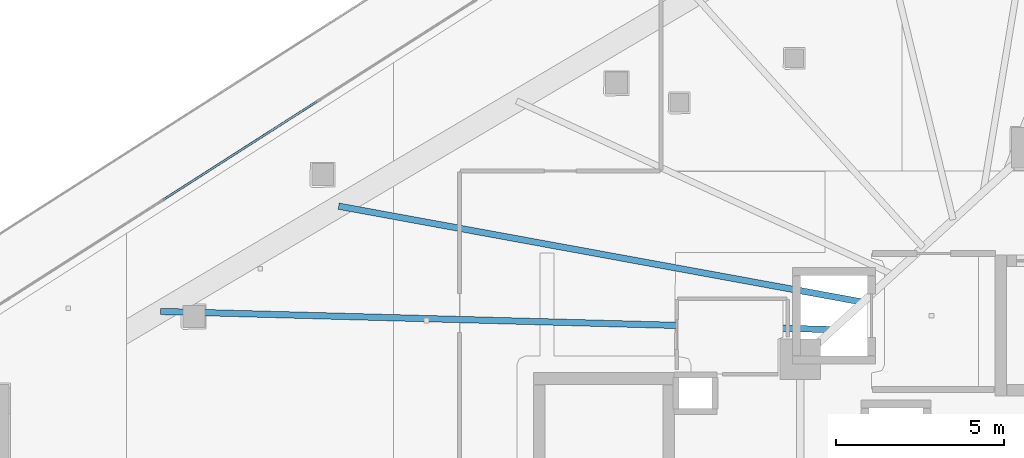
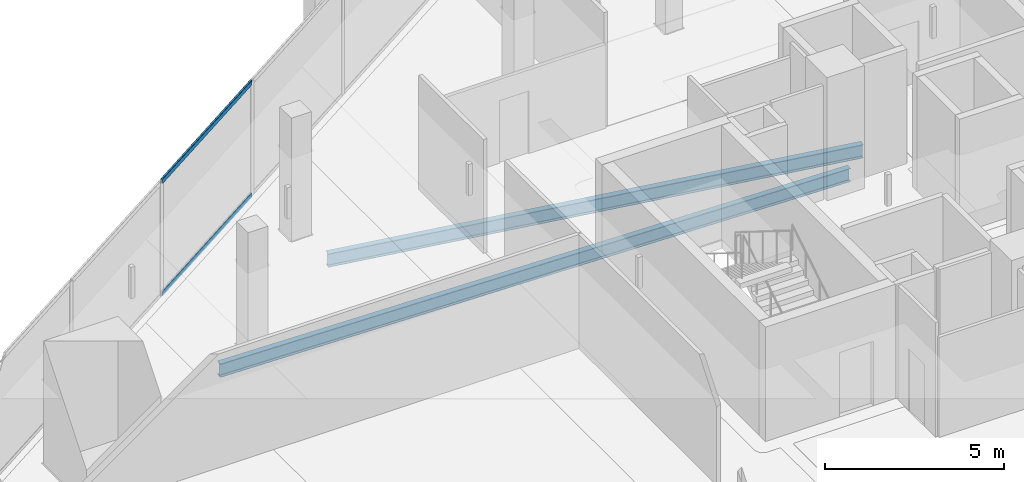
# One storey, part 15 of 45: 2 beams, 2 members, 1 element without a shape of its own.
"""IFC4 building model written with IfcOpenShell, lengths in metres."""

import ifcopenshell
import ifcopenshell.guid

model = None  # the IFC model being written
_history = None  # IfcOwnerHistory: only IFC2X3 demands one
_inside = {}  # id of a spatial element -> (the spatial element, [elements in it])
_under = {}  # id of a project, library or spatial element -> (it, [spatial elements below it])
_declared = {}  # id of a project -> (the project, [libraries it declares])
_typed = {}  # id of a type object -> (the type object, [elements of that type])
_made_of = {}  # id of a material, layer set ... -> (it, [elements and type objects made of it])


def new_model(schema):
    """Start an empty IFC model of exactly this schema.

    Asked for "IFC4X3", IfcOpenShell would pick the latest addendum, in which some entities
    have other attributes; the version numbers below select the first issue.
    IFC2X3 requires an IfcOwnerHistory on every rooted entity: one is made here for all.
    """
    global model, _history
    if schema == "IFC4X3":
        model = ifcopenshell.file(schema_version=(4, 3, 0, 0))
    else:
        model = ifcopenshell.file(schema=schema)
    _inside.clear()
    _under.clear()
    _declared.clear()
    _typed.clear()
    _made_of.clear()
    _history = None
    if model.schema == "IFC2X3":
        org = make("IfcOrganization", Name="unknown")
        user = make(
            "IfcPersonAndOrganization",
            ThePerson=make("IfcPerson", FamilyName="unknown"),
            TheOrganization=org,
        )
        app = make(
            "IfcApplication",
            ApplicationDeveloper=org,
            Version="unknown",
            ApplicationFullName="unknown",
            ApplicationIdentifier="unknown",
        )
        _history = make(
            "IfcOwnerHistory",
            OwningUser=user,
            OwningApplication=app,
            ChangeAction="ADDED",
            CreationDate=0,
        )
    return model


def make(cls, **values):
    """One entity of the class cls with the attributes given. An attribute that is None is left unset."""
    return model.create_entity(
        cls, **{name: value for name, value in values.items() if value is not None}
    )


def rooted(cls, **values):
    """An entity with a GlobalId (a new one), such as an element, a storey or a relation."""
    return make(cls, GlobalId=ifcopenshell.guid.new(), OwnerHistory=_history, **values)


def si_unit(unit_type, name, prefix=None):
    """IfcSIUnit, for example si_unit("LENGTHUNIT", "METRE", prefix="MILLI")."""
    return make("IfcSIUnit", UnitType=unit_type, Prefix=prefix, Name=name)


def assignment(units):
    """IfcUnitAssignment: the units of a project."""
    return None if units is None else make("IfcUnitAssignment", Units=units)


def point(xyz):
    """IfcCartesianPoint."""
    return None if xyz is None else make("IfcCartesianPoint", Coordinates=xyz)


def direction(xyz):
    """IfcDirection."""
    return None if xyz is None else make("IfcDirection", DirectionRatios=xyz)


def frame(location, z_axis=None, x_axis=None):
    """IfcAxis2Placement3D, a coordinate frame: its origin and axes. An axis left out is left unset."""
    return make(
        "IfcAxis2Placement3D",
        Location=point(location),
        Axis=direction(z_axis),
        RefDirection=direction(x_axis),
    )


def frame_2d(location, x_axis=None):
    """IfcAxis2Placement2D, a coordinate frame in the plane: its origin and x axis."""
    return make(
        "IfcAxis2Placement2D", Location=point(location), RefDirection=direction(x_axis)
    )


def origin():
    """The frame at (0, 0, 0) with its axes left unset."""
    return frame((0.0, 0.0, 0.0))


def origin_2d():
    """The frame at (0, 0) in the plane with its x axis left unset."""
    return frame_2d((0.0, 0.0))


def place(relative_to, where):
    """IfcLocalPlacement: puts the frame where relative to a parent placement (None: the world)."""
    return make(
        "IfcLocalPlacement", PlacementRelTo=relative_to, RelativePlacement=where
    )


def context(
    kind, dimensions, precision=None, world=None, true_north=None, identifier=None
):
    """IfcGeometricRepresentationContext, for example the 3D "Model" context."""
    return make(
        "IfcGeometricRepresentationContext",
        ContextIdentifier=identifier,
        ContextType=kind,
        CoordinateSpaceDimension=dimensions,
        Precision=precision,
        WorldCoordinateSystem=world,
        TrueNorth=true_north,
    )


def subcontext(parent, identifier, kind, view, scale=None):
    """IfcGeometricRepresentationSubContext, for example "Body" below "Model"."""
    return make(
        "IfcGeometricRepresentationSubContext",
        ContextIdentifier=identifier,
        ContextType=kind,
        ParentContext=parent,
        TargetScale=scale,
        TargetView=view,
    )


def project(units=None, contexts=None):
    """IfcProject with its units and contexts."""
    return rooted(
        "IfcProject",
        Name="project",
        RepresentationContexts=contexts,
        UnitsInContext=assignment(units),
    )


def spatial(cls, under=None, at=None, **own):
    """A site, building, storey or space (cls), placed at a placement, below another one or the project."""
    s = rooted(cls, ObjectPlacement=at, **own)
    if under is not None:
        _under.setdefault(under.id(), (under, []))[1].append(s)
    return s


def profile(cls, at=None, kind="AREA", **sizes):
    """A parametric profile (cls). Its sizes go by their IFC names, for example OverallWidth=200.0."""
    return make(cls, ProfileType=kind, Position=at, **sizes)


def hollow_rectangle(**sizes):
    """IfcRectangleHollowProfileDef."""
    return profile("IfcRectangleHollowProfileDef", **sizes)


def i_section(**sizes):
    """IfcIShapeProfileDef."""
    return profile("IfcIShapeProfileDef", **sizes)


def extrude(swept, where, along, depth):
    """IfcExtrudedAreaSolid: the profile swept, set in the frame where, extruded along a direction by depth."""
    return make(
        "IfcExtrudedAreaSolid",
        SweptArea=swept,
        Position=where,
        ExtrudedDirection=direction(along),
        Depth=depth,
    )


def shape(context_of_items, identifier, shape_type, items):
    """IfcShapeRepresentation: the items that make up one representation, for example the "Body"."""
    return make(
        "IfcShapeRepresentation",
        ContextOfItems=context_of_items,
        RepresentationIdentifier=identifier,
        RepresentationType=shape_type,
        Items=items,
    )


def material(Name=None, Category=None):
    """IfcMaterial."""
    return make("IfcMaterial", Name=Name, Category=Category)


def layer(
    of_material, thickness, ventilated=None, Name=None, Category=None, Priority=None
):
    """IfcMaterialLayer: one layer of a wall or slab, of a material (None: an air gap)."""
    return make(
        "IfcMaterialLayer",
        Material=of_material,
        LayerThickness=thickness,
        IsVentilated=ventilated,
        Name=Name,
        Category=Category,
        Priority=Priority,
    )


def layer_set(layers, Name=None):
    """IfcMaterialLayerSet."""
    return make("IfcMaterialLayerSet", MaterialLayers=layers, LayerSetName=Name)


def material_profile(
    of_material, cross_section, Name=None, Category=None, Priority=None
):
    """IfcMaterialProfile: a cross section and its material."""
    return make(
        "IfcMaterialProfile",
        Name=Name,
        Material=of_material,
        Profile=cross_section,
        Priority=Priority,
        Category=Category,
    )


def profile_set(profiles, Name=None, composite=None):
    """IfcMaterialProfileSet."""
    return make(
        "IfcMaterialProfileSet",
        Name=Name,
        MaterialProfiles=profiles,
        CompositeProfile=composite,
    )


def made_of(thing, what):
    """Note that an element or type object is made of a material, layer set ...; save() writes the relation."""
    if what is not None:
        _made_of.setdefault(what.id(), (what, []))[1].append(thing)
    return thing


def type_object(cls, material=None, **own):
    """A type object (cls), such as IfcWallType, which elements share."""
    return made_of(rooted(cls, **own), material)


def element(
    cls,
    number,
    at=None,
    inside=None,
    cuts=None,
    type_object=None,
    material=None,
    context=None,
    identifier="Body",
    shape_type=None,
    held_by="IfcProductDefinitionShape",
    body=None,
    shapes=None,
    **own,
):
    """One element of the class cls, such as IfcWall. Its Tag is "e" and its number.

    at: its placement. inside: the storey or other place that contains it. cuts: it is an
    opening in that element (IfcRelVoidsElement). A single representation is given by context,
    identifier, shape_type and body (its items); several are given by shapes. held_by: the class
    of the entity that holds the representations. save() writes the other relations.
    """
    e = rooted(cls, Tag="e%d" % number, ObjectPlacement=at, **own)
    if body is not None:
        shapes = [shape(context, identifier, shape_type, body)]
    if shapes is not None:
        e.Representation = make(held_by, Representations=shapes)
    if inside is not None:
        _inside.setdefault(inside.id(), (inside, []))[1].append(e)
    if cuts is not None:
        rooted(
            "IfcRelVoidsElement", RelatingBuildingElement=cuts, RelatedOpeningElement=e
        )
    if type_object is not None:
        _typed.setdefault(type_object.id(), (type_object, []))[1].append(e)
    return made_of(e, material)


def aggregate(whole, parts):
    """IfcRelAggregates: a whole, such as a stair, and the parts it consists of."""
    return rooted("IfcRelAggregates", RelatingObject=whole, RelatedObjects=parts)


def save(model, path):
    """Write the relations noted so far, then the file.

    IfcRelAggregates (storeys below a building ...), IfcRelContainedInSpatialStructure (elements
    in a storey), IfcRelDefinesByType, IfcRelAssociatesMaterial and IfcRelDeclares: one each for
    every whole, place, type object, material and project.
    """
    for whole, parts in _under.values():
        aggregate(whole, parts)
    for where, things in _inside.values():
        rooted(
            "IfcRelContainedInSpatialStructure",
            RelatedElements=things,
            RelatingStructure=where,
        )
    for kind, things in _typed.values():
        rooted("IfcRelDefinesByType", RelatedObjects=things, RelatingType=kind)
    for what, things in _made_of.values():
        rooted("IfcRelAssociatesMaterial", RelatedObjects=things, RelatingMaterial=what)
    for by, libraries in _declared.values():
        rooted("IfcRelDeclares", RelatingContext=by, RelatedDefinitions=libraries)
    model.write(path)


model = new_model("IFC4")

# Units and contexts
model_context = context("Model", 3, precision=1e-05, world=origin(), true_north=direction((0.0, 1.0)))
body_context = subcontext(model_context, "Body", "Model", "MODEL_VIEW")
ifc_project = project(units=[si_unit("LENGTHUNIT", "METRE"), si_unit("AREAUNIT", "SQUARE_METRE"), si_unit("VOLUMEUNIT", "CUBIC_METRE"), si_unit("PLANEANGLEUNIT", "RADIAN"), si_unit("MASSUNIT", "GRAM", prefix="KILO")], contexts=[model_context])

# Site, building, storey
site_placement = place(None, origin())
site = spatial("IfcSite", under=ifc_project, at=site_placement, CompositionType="ELEMENT")
building_placement = place(site_placement, origin())
building = spatial("IfcBuilding", under=site, at=building_placement, Name="Qorvath Tower", CompositionType="ELEMENT")
storey_placement = place(building_placement, frame((0.0, 0.0, 95.39990234375)))
storey = spatial("IfcBuildingStorey", under=building, at=storey_placement, Name="L21", CompositionType="ELEMENT", Elevation=95.39990234375)

# Beams
ifc_material_1 = material(Name="Steel ASTM A992 Grade 50", Category="steel")
ifc_material_profile_1 = material_profile(ifc_material_1, i_section(OverallWidth=0.18994140625, OverallDepth=0.45703125, WebThickness=0.009033203125, FlangeThickness=0.014404296875, FilletRadius=0.011962890625, at=origin_2d()), Name="W18x50")
ifc_profile_set_1 = profile_set([ifc_material_profile_1], Name="Steel ASTM A992 Grade 50")
beam_type = type_object("IfcBeamType", Name="BM-FJ2", PredefinedType="JOIST", material=ifc_profile_set_1)
beam_1_placement = place(storey_placement, frame((-29.533935546875, 6.031982421875, -0.50830078125), z_axis=(-0.999634925413, 0.02701880631, 0.0), x_axis=(-0.02701880631, -0.999634925413, 0.0)))
element("IfcBeam", 1, at=beam_1_placement, inside=storey, type_object=beam_type, Name="Composite Floor Joist NW1 L21", PredefinedType="JOIST", context=body_context, shape_type="SweptSolid", body=[
    extrude(i_section(OverallWidth=0.18994140625, OverallDepth=0.45703125, WebThickness=0.009033203125, FlangeThickness=0.014404296875, FilletRadius=0.011962890625, at=origin_2d()), origin(), (0.0, 0.0, 1.0), 20.041748046875),
])
beam_2_placement = place(storey_placement, frame((-28.636962890625, 6.85107421875, -0.50830078125), z_axis=(-0.983656498786, 0.180055248176, 0.0), x_axis=(-0.180055248176, -0.983656498786, 0.0)))
element("IfcBeam", 2, at=beam_2_placement, inside=storey, type_object=beam_type, Name="Composite Floor Joist NW2 L21", PredefinedType="JOIST", context=body_context, shape_type="SweptSolid", body=[
    extrude(i_section(OverallWidth=0.18994140625, OverallDepth=0.45703125, WebThickness=0.009033203125, FlangeThickness=0.014404296875, FilletRadius=0.011962890625, at=origin_2d()), origin(), (0.0, 0.0, 1.0), 15.884521484375),
])

# Curtain wall, members
ifc_material_2 = material(Name="Anodised aluminium and triple low-E glass", Category="aluminium")
ifc_layer = layer(ifc_material_2, 0.179931640625)
ifc_layer_set = layer_set([ifc_layer], Name="CW-SYS-2")
curtain_wall_type = type_object("IfcCurtainWallType", Name="CW-SYS-2", PredefinedType="NOTDEFINED", material=ifc_layer_set)
curtain_wall_placement = place(storey_placement, origin())
curtain_wall = element("IfcCurtainWall", 3, at=curtain_wall_placement, inside=storey, type_object=curtain_wall_type, Name="Curtain Wall CW-2 CW-T-L21-16.4", PredefinedType="NOTDEFINED")
ifc_material_3 = material(Name="Anodised aluminium 6063-T6", Category="aluminium")
ifc_material_profile_2 = material_profile(ifc_material_3, hollow_rectangle(XDim=0.06494140625, YDim=0.159912109375, WallThickness=0.00341796875, InnerFilletRadius=0.00341796875, OuterFilletRadius=0.007080078125, at=origin_2d()), Name="CWT 160x65")
ifc_profile_set_2 = profile_set([ifc_material_profile_2], Name="Anodised aluminium 6063-T6")
member_type = type_object("IfcMemberType", Name="CWT-160", PredefinedType="USERDEFINED", material=ifc_profile_set_2)
member_1_placement = place(storey_placement, frame((-44.917724609375, 12.825927734375, 0.032470703125), z_axis=(-0.842607363734, -0.538528393477, 0.0), x_axis=(0.538528393477, -0.842607363734, 0.0)))
member_1 = element("IfcMember", 4, at=member_1_placement, type_object=member_type, Name="CW-2 transom 3.1", ObjectType="TRANSOM", PredefinedType="USERDEFINED", context=body_context, shape_type="SweptSolid", body=[
    extrude(hollow_rectangle(XDim=0.06494140625, YDim=0.159912109375, WallThickness=0.00341796875, InnerFilletRadius=0.00341796875, OuterFilletRadius=0.007080078125, at=origin_2d()), origin(), (0.0, 0.0, 1.0), 5.434814453125),
])
member_2_placement = place(storey_placement, frame((-44.917724609375, 12.825927734375, 3.86767578125), z_axis=(-0.842607363734, -0.538528393477, 0.0), x_axis=(0.538528393477, -0.842607363734, 0.0)))
member_2 = element("IfcMember", 5, at=member_2_placement, type_object=member_type, Name="CW-2 transom 3.2", ObjectType="TRANSOM", PredefinedType="USERDEFINED", context=body_context, shape_type="SweptSolid", body=[
    extrude(hollow_rectangle(XDim=0.06494140625, YDim=0.159912109375, WallThickness=0.00341796875, InnerFilletRadius=0.00341796875, OuterFilletRadius=0.007080078125, at=origin_2d()), origin(), (0.0, 0.0, 1.0), 5.434814453125),
])
aggregate(curtain_wall, [member_1, member_2])

save(model, "model.ifc")
